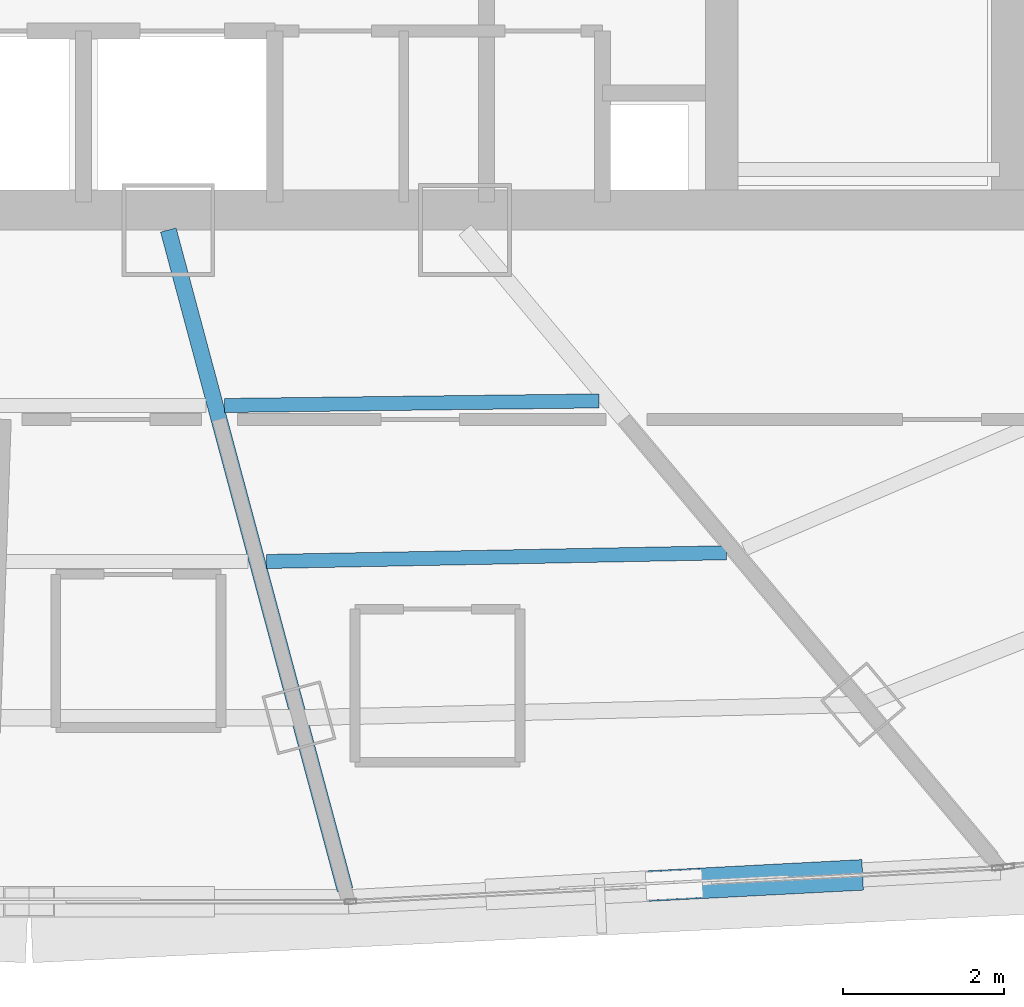
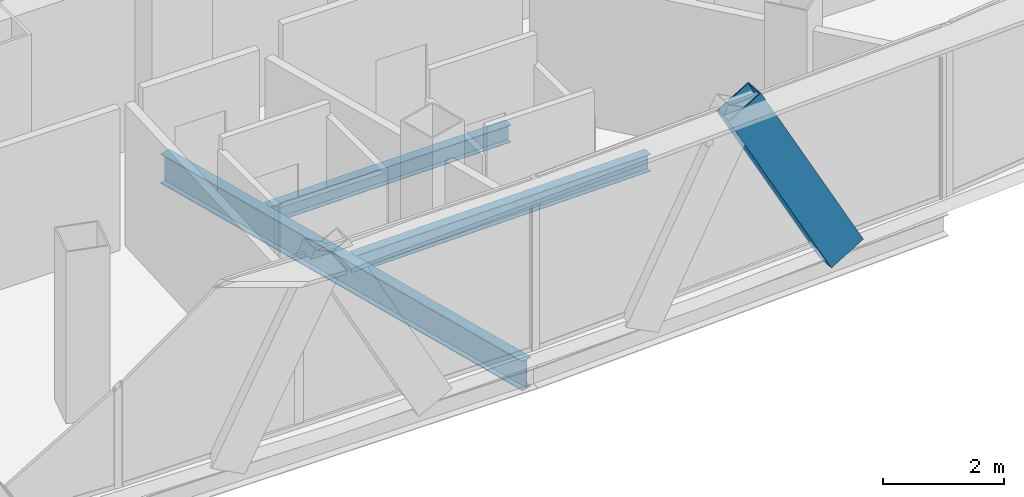
# One storey, part 11 of 40: 3 beams, 1 member.
"""IFC4 building model written with IfcOpenShell, lengths in metres."""

import ifcopenshell
import ifcopenshell.guid

model = None  # the IFC model being written
_history = None  # IfcOwnerHistory: only IFC2X3 demands one
_inside = {}  # id of a spatial element -> (the spatial element, [elements in it])
_under = {}  # id of a project, library or spatial element -> (it, [spatial elements below it])
_declared = {}  # id of a project -> (the project, [libraries it declares])
_typed = {}  # id of a type object -> (the type object, [elements of that type])
_made_of = {}  # id of a material, layer set ... -> (it, [elements and type objects made of it])


def new_model(schema):
    """Start an empty IFC model of exactly this schema.

    Asked for "IFC4X3", IfcOpenShell would pick the latest addendum, in which some entities
    have other attributes; the version numbers below select the first issue.
    IFC2X3 requires an IfcOwnerHistory on every rooted entity: one is made here for all.
    """
    global model, _history
    if schema == "IFC4X3":
        model = ifcopenshell.file(schema_version=(4, 3, 0, 0))
    else:
        model = ifcopenshell.file(schema=schema)
    _inside.clear()
    _under.clear()
    _declared.clear()
    _typed.clear()
    _made_of.clear()
    _history = None
    if model.schema == "IFC2X3":
        org = make("IfcOrganization", Name="unknown")
        user = make(
            "IfcPersonAndOrganization",
            ThePerson=make("IfcPerson", FamilyName="unknown"),
            TheOrganization=org,
        )
        app = make(
            "IfcApplication",
            ApplicationDeveloper=org,
            Version="unknown",
            ApplicationFullName="unknown",
            ApplicationIdentifier="unknown",
        )
        _history = make(
            "IfcOwnerHistory",
            OwningUser=user,
            OwningApplication=app,
            ChangeAction="ADDED",
            CreationDate=0,
        )
    return model


def make(cls, **values):
    """One entity of the class cls with the attributes given. An attribute that is None is left unset."""
    return model.create_entity(
        cls, **{name: value for name, value in values.items() if value is not None}
    )


def rooted(cls, **values):
    """An entity with a GlobalId (a new one), such as an element, a storey or a relation."""
    return make(cls, GlobalId=ifcopenshell.guid.new(), OwnerHistory=_history, **values)


def si_unit(unit_type, name, prefix=None):
    """IfcSIUnit, for example si_unit("LENGTHUNIT", "METRE", prefix="MILLI")."""
    return make("IfcSIUnit", UnitType=unit_type, Prefix=prefix, Name=name)


def assignment(units):
    """IfcUnitAssignment: the units of a project."""
    return None if units is None else make("IfcUnitAssignment", Units=units)


def point(xyz):
    """IfcCartesianPoint."""
    return None if xyz is None else make("IfcCartesianPoint", Coordinates=xyz)


def direction(xyz):
    """IfcDirection."""
    return None if xyz is None else make("IfcDirection", DirectionRatios=xyz)


def frame(location, z_axis=None, x_axis=None):
    """IfcAxis2Placement3D, a coordinate frame: its origin and axes. An axis left out is left unset."""
    return make(
        "IfcAxis2Placement3D",
        Location=point(location),
        Axis=direction(z_axis),
        RefDirection=direction(x_axis),
    )


def frame_2d(location, x_axis=None):
    """IfcAxis2Placement2D, a coordinate frame in the plane: its origin and x axis."""
    return make(
        "IfcAxis2Placement2D", Location=point(location), RefDirection=direction(x_axis)
    )


def origin():
    """The frame at (0, 0, 0) with its axes left unset."""
    return frame((0.0, 0.0, 0.0))


def origin_2d():
    """The frame at (0, 0) in the plane with its x axis left unset."""
    return frame_2d((0.0, 0.0))


def place(relative_to, where):
    """IfcLocalPlacement: puts the frame where relative to a parent placement (None: the world)."""
    return make(
        "IfcLocalPlacement", PlacementRelTo=relative_to, RelativePlacement=where
    )


def context(
    kind, dimensions, precision=None, world=None, true_north=None, identifier=None
):
    """IfcGeometricRepresentationContext, for example the 3D "Model" context."""
    return make(
        "IfcGeometricRepresentationContext",
        ContextIdentifier=identifier,
        ContextType=kind,
        CoordinateSpaceDimension=dimensions,
        Precision=precision,
        WorldCoordinateSystem=world,
        TrueNorth=true_north,
    )


def subcontext(parent, identifier, kind, view, scale=None):
    """IfcGeometricRepresentationSubContext, for example "Body" below "Model"."""
    return make(
        "IfcGeometricRepresentationSubContext",
        ContextIdentifier=identifier,
        ContextType=kind,
        ParentContext=parent,
        TargetScale=scale,
        TargetView=view,
    )


def project(units=None, contexts=None):
    """IfcProject with its units and contexts."""
    return rooted(
        "IfcProject",
        Name="project",
        RepresentationContexts=contexts,
        UnitsInContext=assignment(units),
    )


def spatial(cls, under=None, at=None, **own):
    """A site, building, storey or space (cls), placed at a placement, below another one or the project."""
    s = rooted(cls, ObjectPlacement=at, **own)
    if under is not None:
        _under.setdefault(under.id(), (under, []))[1].append(s)
    return s


def profile(cls, at=None, kind="AREA", **sizes):
    """A parametric profile (cls). Its sizes go by their IFC names, for example OverallWidth=200.0."""
    return make(cls, ProfileType=kind, Position=at, **sizes)


def hollow_rectangle(**sizes):
    """IfcRectangleHollowProfileDef."""
    return profile("IfcRectangleHollowProfileDef", **sizes)


def i_section(**sizes):
    """IfcIShapeProfileDef."""
    return profile("IfcIShapeProfileDef", **sizes)


def extrude(swept, where, along, depth):
    """IfcExtrudedAreaSolid: the profile swept, set in the frame where, extruded along a direction by depth."""
    return make(
        "IfcExtrudedAreaSolid",
        SweptArea=swept,
        Position=where,
        ExtrudedDirection=direction(along),
        Depth=depth,
    )


def shape(context_of_items, identifier, shape_type, items):
    """IfcShapeRepresentation: the items that make up one representation, for example the "Body"."""
    return make(
        "IfcShapeRepresentation",
        ContextOfItems=context_of_items,
        RepresentationIdentifier=identifier,
        RepresentationType=shape_type,
        Items=items,
    )


def source(mapping_origin, context_of_items, identifier, shape_type, items):
    """IfcRepresentationMap: a shape defined once, which mapped items show again and again."""
    return make(
        "IfcRepresentationMap",
        MappingOrigin=mapping_origin,
        MappedRepresentation=shape(context_of_items, identifier, shape_type, items),
    )


def transform(
    local_origin,
    x_axis=None,
    y_axis=None,
    z_axis=None,
    scale=None,
    scale2=None,
    scale3=None,
    uniform=True,
):
    """IfcCartesianTransformationOperator3D, or its non-uniform kind. x_axis, y_axis, z_axis: its Axis1, 2, 3."""
    if uniform:
        return make(
            "IfcCartesianTransformationOperator3D",
            Axis1=direction(x_axis),
            Axis2=direction(y_axis),
            LocalOrigin=point(local_origin),
            Scale=scale,
            Axis3=direction(z_axis),
        )
    return make(
        "IfcCartesianTransformationOperator3DnonUniform",
        Axis1=direction(x_axis),
        Axis2=direction(y_axis),
        LocalOrigin=point(local_origin),
        Scale=scale,
        Axis3=direction(z_axis),
        Scale2=scale2,
        Scale3=scale3,
    )


def mapped(mapping_source, mapping_target):
    """IfcMappedItem: shows the shape of a source again, moved by a transform."""
    return make(
        "IfcMappedItem", MappingSource=mapping_source, MappingTarget=mapping_target
    )


def material(Name=None, Category=None):
    """IfcMaterial."""
    return make("IfcMaterial", Name=Name, Category=Category)


def material_profile(
    of_material, cross_section, Name=None, Category=None, Priority=None
):
    """IfcMaterialProfile: a cross section and its material."""
    return make(
        "IfcMaterialProfile",
        Name=Name,
        Material=of_material,
        Profile=cross_section,
        Priority=Priority,
        Category=Category,
    )


def profile_set(profiles, Name=None, composite=None):
    """IfcMaterialProfileSet."""
    return make(
        "IfcMaterialProfileSet",
        Name=Name,
        MaterialProfiles=profiles,
        CompositeProfile=composite,
    )


def made_of(thing, what):
    """Note that an element or type object is made of a material, layer set ...; save() writes the relation."""
    if what is not None:
        _made_of.setdefault(what.id(), (what, []))[1].append(thing)
    return thing


def type_object(cls, material=None, **own):
    """A type object (cls), such as IfcWallType, which elements share."""
    return made_of(rooted(cls, **own), material)


def element(
    cls,
    number,
    at=None,
    inside=None,
    cuts=None,
    type_object=None,
    material=None,
    context=None,
    identifier="Body",
    shape_type=None,
    held_by="IfcProductDefinitionShape",
    body=None,
    shapes=None,
    **own,
):
    """One element of the class cls, such as IfcWall. Its Tag is "e" and its number.

    at: its placement. inside: the storey or other place that contains it. cuts: it is an
    opening in that element (IfcRelVoidsElement). A single representation is given by context,
    identifier, shape_type and body (its items); several are given by shapes. held_by: the class
    of the entity that holds the representations. save() writes the other relations.
    """
    e = rooted(cls, Tag="e%d" % number, ObjectPlacement=at, **own)
    if body is not None:
        shapes = [shape(context, identifier, shape_type, body)]
    if shapes is not None:
        e.Representation = make(held_by, Representations=shapes)
    if inside is not None:
        _inside.setdefault(inside.id(), (inside, []))[1].append(e)
    if cuts is not None:
        rooted(
            "IfcRelVoidsElement", RelatingBuildingElement=cuts, RelatedOpeningElement=e
        )
    if type_object is not None:
        _typed.setdefault(type_object.id(), (type_object, []))[1].append(e)
    return made_of(e, material)


def aggregate(whole, parts):
    """IfcRelAggregates: a whole, such as a stair, and the parts it consists of."""
    return rooted("IfcRelAggregates", RelatingObject=whole, RelatedObjects=parts)


def save(model, path):
    """Write the relations noted so far, then the file.

    IfcRelAggregates (storeys below a building ...), IfcRelContainedInSpatialStructure (elements
    in a storey), IfcRelDefinesByType, IfcRelAssociatesMaterial and IfcRelDeclares: one each for
    every whole, place, type object, material and project.
    """
    for whole, parts in _under.values():
        aggregate(whole, parts)
    for where, things in _inside.values():
        rooted(
            "IfcRelContainedInSpatialStructure",
            RelatedElements=things,
            RelatingStructure=where,
        )
    for kind, things in _typed.values():
        rooted("IfcRelDefinesByType", RelatedObjects=things, RelatingType=kind)
    for what, things in _made_of.values():
        rooted("IfcRelAssociatesMaterial", RelatedObjects=things, RelatingMaterial=what)
    for by, libraries in _declared.values():
        rooted("IfcRelDeclares", RelatingContext=by, RelatedDefinitions=libraries)
    model.write(path)


model = new_model("IFC4")

# Units and contexts
model_context = context("Model", 3, precision=1e-05, world=origin(), true_north=direction((0.0, 1.0)))
body_context = subcontext(model_context, "Body", "Model", "MODEL_VIEW")
ifc_project = project(units=[si_unit("LENGTHUNIT", "METRE"), si_unit("AREAUNIT", "SQUARE_METRE"), si_unit("VOLUMEUNIT", "CUBIC_METRE"), si_unit("PLANEANGLEUNIT", "RADIAN"), si_unit("MASSUNIT", "GRAM", prefix="KILO"), si_unit("THERMODYNAMICTEMPERATUREUNIT", "KELVIN"), si_unit("POWERUNIT", "WATT")], contexts=[model_context])

# Site, building, storey
site_placement = place(None, origin())
site = spatial("IfcSite", under=ifc_project, at=site_placement, CompositionType="ELEMENT")
building_placement = place(site_placement, origin())
building = spatial("IfcBuilding", under=site, at=building_placement, Name="Yunzhuo Pagoda Commons", CompositionType="ELEMENT")
storey_placement = place(building_placement, frame((0.0, 0.0, 292.47998046875)))
storey = spatial("IfcBuildingStorey", under=building, at=storey_placement, Name="L73", CompositionType="ELEMENT", Elevation=292.47998046875)

# Beams
ifc_material = material(Name="Structural steel Q355B", Category="steel")
ifc_material_profile_1 = material_profile(ifc_material, i_section(OverallWidth=0.175048828125, OverallDepth=0.35009765625, WebThickness=0.007080078125, FlangeThickness=0.010986328125, at=origin_2d()), Name="Structural steel Q355B")
ifc_profile_set_1 = profile_set([ifc_material_profile_1], Name="Structural steel Q355B")
beam_type_1 = type_object("IfcBeamType", Name="B-JS2 Joist HN 350x175x7x11", PredefinedType="JOIST", material=ifc_profile_set_1)
shared_shape_1 = source(origin(), body_context, "Body", "SweptSolid", [
    extrude(i_section(OverallWidth=0.175048828125, OverallDepth=0.35009765625, WebThickness=0.007080078125, FlangeThickness=0.010986328125, at=origin_2d()), origin(), (0.0, 0.0, 1.0), 4.64892578125),
])
beam_1_placement = place(storey_placement, frame((50.42724609375, 25.07177734375, -0.43505859375), z_axis=(0.999924495467, 0.012288342626, 0.0), x_axis=(-0.012288342626, 0.999924495467, 0.0)))
element("IfcBeam", 1, at=beam_1_placement, inside=storey, type_object=beam_type_1, Name="L73 composite ring joist 1.3", PredefinedType="JOIST", context=body_context, shape_type="MappedRepresentation", body=[
    mapped(shared_shape_1, transform((0.0, 0.0, 0.0), scale=1.0)),
])
shared_shape_2 = source(origin(), body_context, "Body", "SweptSolid", [
    extrude(i_section(OverallWidth=0.175048828125, OverallDepth=0.35009765625, WebThickness=0.007080078125, FlangeThickness=0.010986328125, at=origin_2d()), origin(), (0.0, 0.0, 1.0), 5.711669921875),
])
beam_2_placement = place(storey_placement, frame((50.9462890625, 23.135009765625, -0.43505859375), z_axis=(0.999819084998, 0.019020969297, 0.0), x_axis=(-0.019020969297, 0.999819084998, 0.0)))
element("IfcBeam", 2, at=beam_2_placement, inside=storey, type_object=beam_type_1, Name="L73 composite ring joist 2.3", PredefinedType="JOIST", context=body_context, shape_type="MappedRepresentation", body=[
    mapped(shared_shape_2, transform((0.0, 0.0, 0.0), scale=1.0)),
])
ifc_material_profile_2 = material_profile(ifc_material, i_section(OverallWidth=0.199951171875, OverallDepth=0.60009765625, WebThickness=0.010986328125, FlangeThickness=0.01708984375, at=origin_2d()), Name="Structural steel Q355B")
ifc_profile_set_2 = profile_set([ifc_material_profile_2], Name="Structural steel Q355B")
beam_type_2 = type_object("IfcBeamType", Name="B-RG3 Beam HN 600x200x11x17", PredefinedType="BEAM", material=ifc_profile_set_2)
shared_shape_3 = source(origin(), body_context, "Body", "SweptSolid", [
    extrude(i_section(OverallWidth=0.199951171875, OverallDepth=0.60009765625, WebThickness=0.010986328125, FlangeThickness=0.01708984375, at=origin_2d()), origin(), (0.0, 0.0, 1.0), 8.478515625),
])
beam_3_placement = place(storey_placement, frame((51.922607421875, 19.060302734375, -0.56005859375), z_axis=(-0.258782623342, 0.965935584734, 0.0), x_axis=(-0.965935584734, -0.258782623342, 0.0)))
element("IfcBeam", 3, at=beam_3_placement, inside=storey, type_object=beam_type_2, Name="L73 radial floor girder F1C3", PredefinedType="BEAM", context=body_context, shape_type="MappedRepresentation", body=[
    mapped(shared_shape_3, transform((0.0, 0.0, 0.0), scale=1.0)),
])

# Member
ifc_material_profile_3 = material_profile(ifc_material, hollow_rectangle(XDim=0.3798828125, YDim=0.719970703125, WallThickness=0.02001953125, at=origin_2d()), Name="Structural steel Q355B")
ifc_profile_set_3 = profile_set([ifc_material_profile_3], Name="Structural steel Q355B")
member_type = type_object("IfcMemberType", Name="M-DL3 Brace BOX 720x380x20", PredefinedType="BRACE", material=ifc_profile_set_3)
shared_shape_4 = source(origin(), body_context, "Body", "SweptSolid", [
    extrude(hollow_rectangle(XDim=0.3798828125, YDim=0.719970703125, WallThickness=0.02001953125, at=origin_2d()), origin(), (0.0, 0.0, 1.0), 4.24462890625),
])
member_placement = place(storey_placement, frame((58.031982421875, 19.227783203125, -0.260009765625), z_axis=(-0.476643031928, -0.024904842865, 0.878744086134), x_axis=(0.052179333581, -0.998637730685, 0.0)))
element("IfcMember", 4, at=member_placement, inside=storey, type_object=member_type, Name="L73 facade diamond brace F1.3R", PredefinedType="BRACE", context=body_context, shape_type="MappedRepresentation", body=[
    mapped(shared_shape_4, transform((0.0, 0.0, 0.0), scale=1.0)),
])

save(model, "model.ifc")
